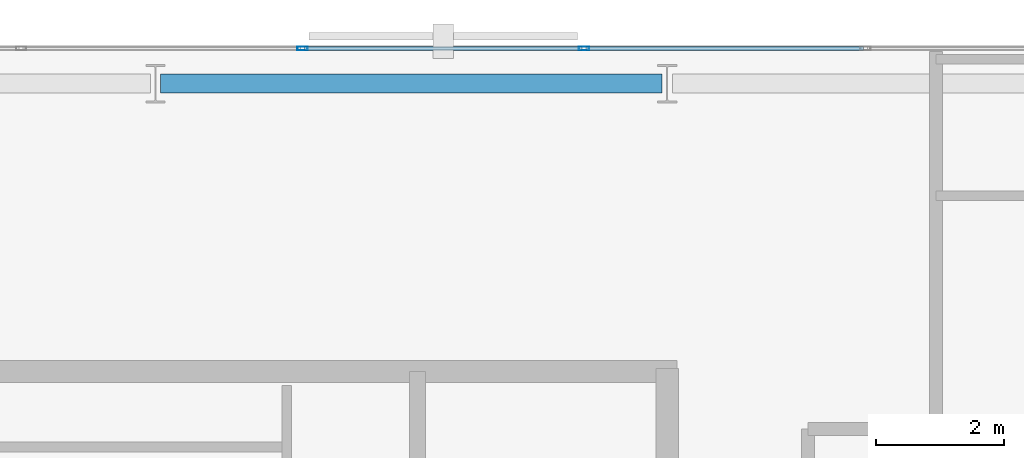
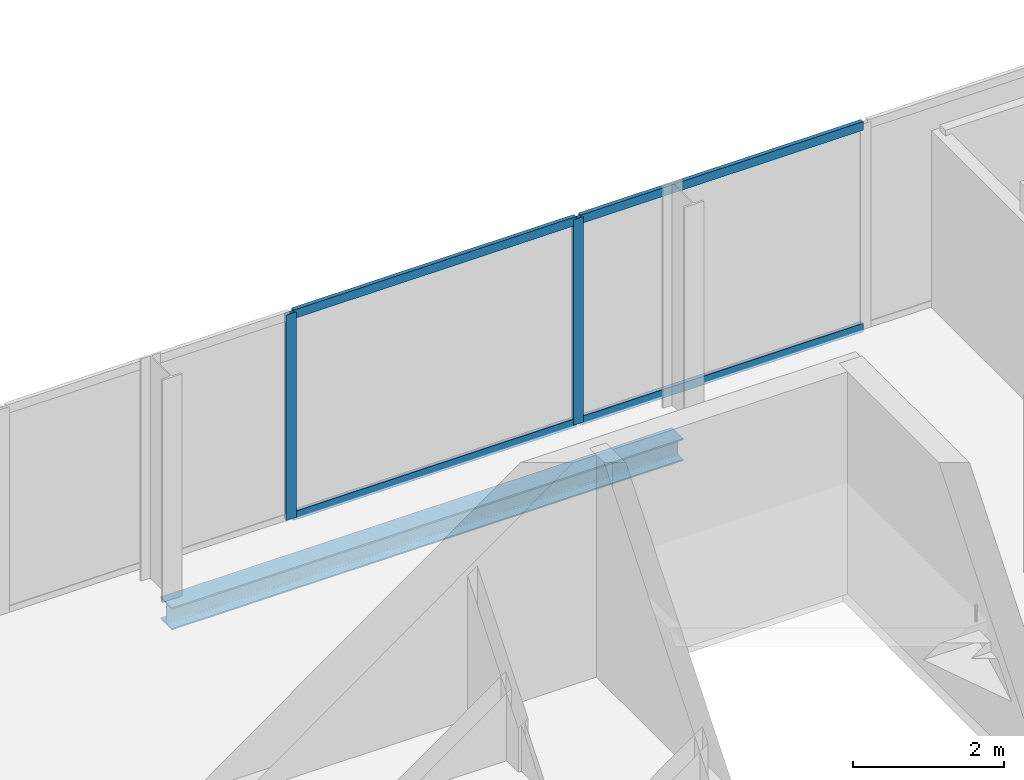
# One storey, part 24 of 32: 6 members, 1 beam, 1 element without a shape of its own.
"""IFC4 building model written with IfcOpenShell, lengths in metres."""

from ifc_helpers import new_model, si_unit, direction, frame, origin, origin_2d, place, context, subcontext, project, spatial, hollow_rectangle, i_section, extrude, material, layer, layer_set, material_profile, profile_set, type_object, element, aggregate, save


model = new_model("IFC4")

# Units and contexts
model_context = context("Model", 3, precision=1e-05, world=origin(), true_north=direction((0.0, 1.0)))
body_context = subcontext(model_context, "Body", "Model", "MODEL_VIEW")
ifc_project = project(units=[si_unit("LENGTHUNIT", "METRE"), si_unit("AREAUNIT", "SQUARE_METRE"), si_unit("VOLUMEUNIT", "CUBIC_METRE"), si_unit("PLANEANGLEUNIT", "RADIAN"), si_unit("MASSUNIT", "GRAM", prefix="KILO")], contexts=[model_context])

# Site, building, storey
site_placement = place(None, origin())
site = spatial("IfcSite", under=ifc_project, at=site_placement, CompositionType="ELEMENT")
building_placement = place(site_placement, origin())
building = spatial("IfcBuilding", under=site, at=building_placement, Name="Catumbela Crestline Tower", CompositionType="ELEMENT")
storey_placement = place(building_placement, frame((0.0, 0.0, 126.0)))
storey = spatial("IfcBuildingStorey", under=building, at=storey_placement, Name="L32", CompositionType="ELEMENT", Elevation=126.0)

# Curtain wall, members
ifc_material_1 = material(Name="Aluminium alloy AW-6060-T66", Category="aluminium")
ifc_layer = layer(ifc_material_1, 0.18, Name="Aluminium alloy AW-6060-T66")
ifc_layer_set = layer_set([ifc_layer], Name="Aluminium alloy AW-6060-T66")
curtain_wall_type = type_object("IfcCurtainWallType", Name="CWU-Z2", PredefinedType="USERDEFINED", material=ifc_layer_set)
curtain_wall_placement = place(storey_placement, origin())
curtain_wall = element("IfcCurtainWall", 1, at=curtain_wall_placement, inside=storey, type_object=curtain_wall_type, Name="L32 Unitised Curtain Wall CW-L32-E7S1", ObjectType="UNITISED", PredefinedType="USERDEFINED")
ifc_material_profile_1 = material_profile(ifc_material_1, hollow_rectangle(XDim=0.06, YDim=0.16, WallThickness=0.004, at=origin_2d()), Name="ALU 160x60x4")
ifc_profile_set_1 = profile_set([ifc_material_profile_1], Name="Aluminium alloy AW-6060-T66")
member_type_1 = type_object("IfcMemberType", Name="MUL-160X60", PredefinedType="MULLION", material=ifc_profile_set_1)
member_1_placement = place(storey_placement, frame((38.7, 47.95, 0.0), z_axis=(0.0, 0.0, 1.0), x_axis=(0.0, -1.0, 0.0)))
member_1 = element("IfcMember", 2, at=member_1_placement, type_object=member_type_1, Name="CWU-Z2 mullion 3", PredefinedType="MULLION", context=body_context, shape_type="SweptSolid", body=[
    extrude(hollow_rectangle(XDim=0.06, YDim=0.16, WallThickness=0.004, at=origin_2d()), origin(), (0.0, 0.0, 1.0), 3.33),
])
member_2_placement = place(storey_placement, frame((34.3, 47.95, 0.0), z_axis=(0.0, 0.0, 1.0), x_axis=(0.0, -1.0, 0.0)))
member_2 = element("IfcMember", 3, at=member_2_placement, type_object=member_type_1, Name="CWU-Z2 mullion 4", PredefinedType="MULLION", context=body_context, shape_type="SweptSolid", body=[
    extrude(hollow_rectangle(XDim=0.06, YDim=0.16, WallThickness=0.004, at=origin_2d()), origin(), (0.0, 0.0, 1.0), 3.33),
])

# Beam
ifc_material_2 = material(Name="Structural steel S355J2", Category="steel")
ifc_material_profile_2 = material_profile(ifc_material_2, i_section(OverallWidth=0.3, OverallDepth=0.36, WebThickness=0.0125, FlangeThickness=0.0225, FilletRadius=0.027, at=origin_2d()), Name="HEB 360")
ifc_profile_set_2 = profile_set([ifc_material_profile_2], Name="Structural steel S355J2")
beam_type = type_object("IfcBeamType", Name="BS-HEB360", PredefinedType="SPANDREL", material=ifc_profile_set_2)
beam_placement = place(storey_placement, frame((32.08, 47.4, -0.44), z_axis=(1.0, 0.0, 0.0), x_axis=(0.0, 1.0, 0.0)))
element("IfcBeam", 4, at=beam_placement, inside=storey, type_object=beam_type, Name="L32 Spandrel SP-L32-NF20", PredefinedType="SPANDREL", context=body_context, shape_type="SweptSolid", body=[
    extrude(i_section(OverallWidth=0.3, OverallDepth=0.36, WebThickness=0.0125, FlangeThickness=0.0225, FilletRadius=0.027, at=origin_2d()), origin(), (0.0, 0.0, 1.0), 7.84),
])

# Member
ifc_material_profile_3 = material_profile(ifc_material_1, hollow_rectangle(XDim=0.06, YDim=0.14, WallThickness=0.004, at=origin_2d()), Name="ALU 140x60x4")
ifc_profile_set_3 = profile_set([ifc_material_profile_3], Name="Aluminium alloy AW-6060-T66")
member_type_2 = type_object("IfcMemberType", Name="TRN-140X60", PredefinedType="USERDEFINED", material=ifc_profile_set_3)
member_3_placement = place(storey_placement, frame((43.0675, 47.95, 0.03), z_axis=(-1.0, 0.0, 0.0), x_axis=(0.0, -1.0, 0.0)))
member_3 = element("IfcMember", 5, at=member_3_placement, type_object=member_type_2, Name="CWU-Z2 transom 2.1", ObjectType="TRANSOM", PredefinedType="USERDEFINED", context=body_context, shape_type="SweptSolid", body=[
    extrude(hollow_rectangle(XDim=0.06, YDim=0.14, WallThickness=0.004, at=origin_2d()), origin(), (0.0, 0.0, 1.0), 4.335),
])

member_4_placement = place(storey_placement, frame((43.0675, 47.95, 3.3), z_axis=(-1.0, 0.0, 0.0), x_axis=(0.0, -1.0, 0.0)))
member_4 = element("IfcMember", 6, at=member_4_placement, type_object=member_type_2, Name="CWU-Z2 transom 2.2", ObjectType="TRANSOM", PredefinedType="USERDEFINED", context=body_context, shape_type="SweptSolid", body=[
    extrude(hollow_rectangle(XDim=0.06, YDim=0.14, WallThickness=0.004, at=origin_2d()), origin(), (0.0, 0.0, 1.0), 4.335),
])

member_5_placement = place(storey_placement, frame((38.6675, 47.95, 0.03), z_axis=(-1.0, 0.0, 0.0), x_axis=(0.0, -1.0, 0.0)))
member_5 = element("IfcMember", 7, at=member_5_placement, type_object=member_type_2, Name="CWU-Z2 transom 3.1", ObjectType="TRANSOM", PredefinedType="USERDEFINED", context=body_context, shape_type="SweptSolid", body=[
    extrude(hollow_rectangle(XDim=0.06, YDim=0.14, WallThickness=0.004, at=origin_2d()), origin(), (0.0, 0.0, 1.0), 4.335),
])

member_6_placement = place(storey_placement, frame((38.6675, 47.95, 3.3), z_axis=(-1.0, 0.0, 0.0), x_axis=(0.0, -1.0, 0.0)))
member_6 = element("IfcMember", 8, at=member_6_placement, type_object=member_type_2, Name="CWU-Z2 transom 3.2", ObjectType="TRANSOM", PredefinedType="USERDEFINED", context=body_context, shape_type="SweptSolid", body=[
    extrude(hollow_rectangle(XDim=0.06, YDim=0.14, WallThickness=0.004, at=origin_2d()), origin(), (0.0, 0.0, 1.0), 4.335),
])

aggregate(curtain_wall, [member_1, member_2, member_3, member_4, member_5, member_6])

save(model, "model.ifc")
